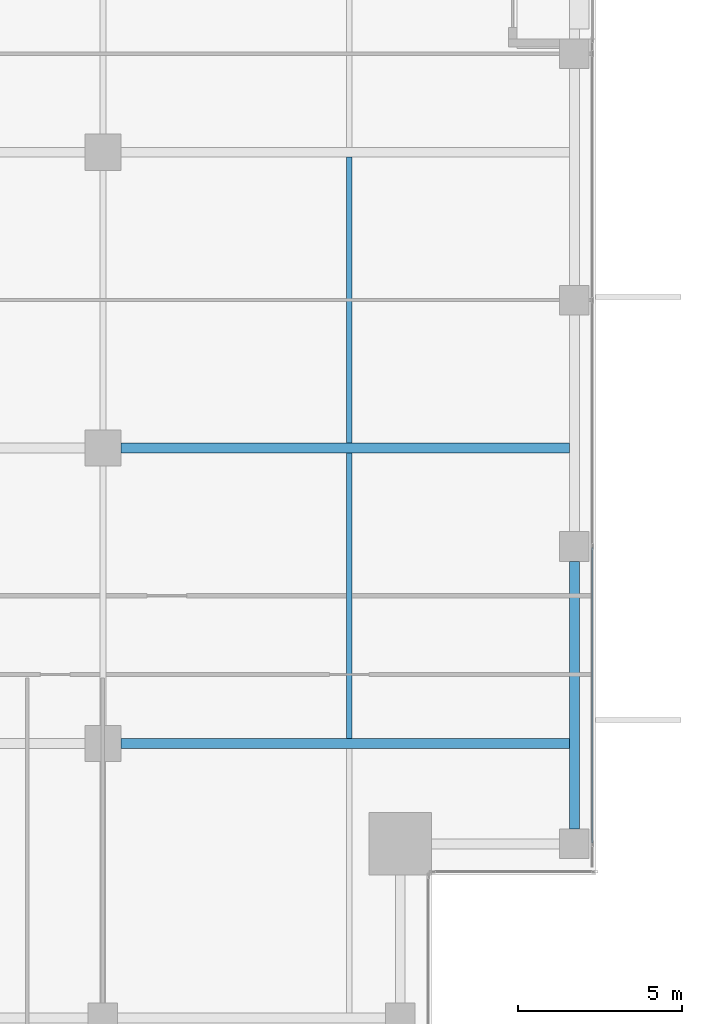
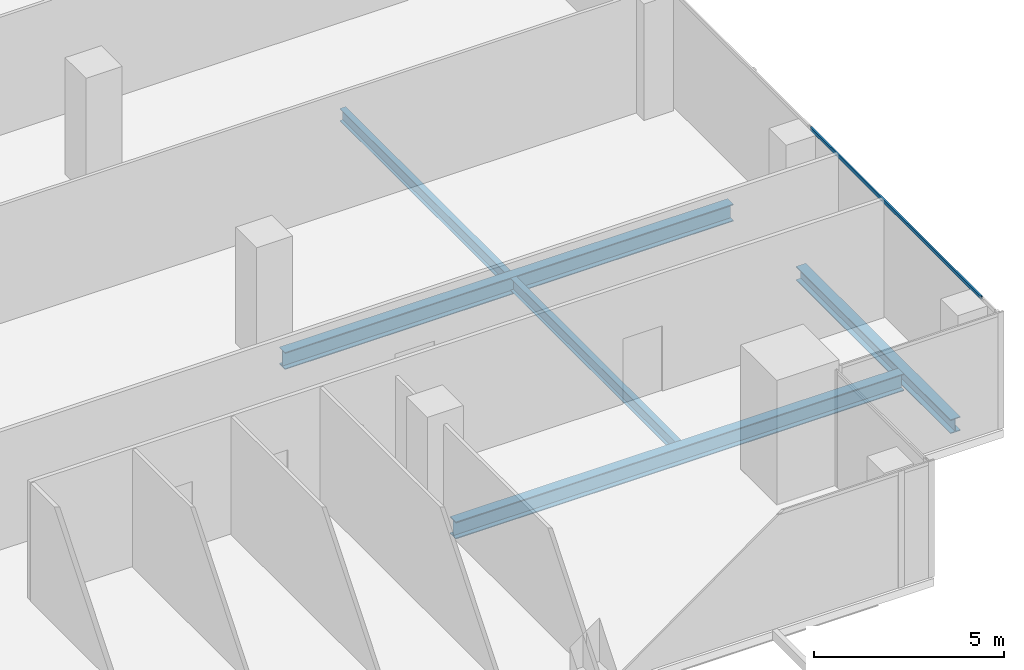
# One storey, part 10 of 34: 5 beams, 1 member, 1 element without a shape of its own.
"""IFC4 building model written with IfcOpenShell, lengths in metres."""

from ifc_helpers import new_model, si_unit, direction, frame, origin, origin_2d, place, context, subcontext, project, spatial, hollow_rectangle, i_section, extrude, source, transform, mapped, material, material_profile, profile_set, type_object, element, aggregate, save


model = new_model("IFC4")

# Units and contexts
model_context = context("Model", 3, precision=1e-05, world=origin(), true_north=direction((0.0, 1.0)))
body_context = subcontext(model_context, "Body", "Model", "MODEL_VIEW")
ifc_project = project(units=[si_unit("LENGTHUNIT", "METRE"), si_unit("AREAUNIT", "SQUARE_METRE"), si_unit("VOLUMEUNIT", "CUBIC_METRE"), si_unit("PLANEANGLEUNIT", "RADIAN"), si_unit("MASSUNIT", "GRAM", prefix="KILO")], contexts=[model_context])

# Site, building, storey
site_placement = place(None, origin())
site = spatial("IfcSite", under=ifc_project, at=site_placement, CompositionType="ELEMENT")
building_placement = place(site_placement, origin())
building = spatial("IfcBuilding", under=site, at=building_placement, Name="Khomas Fold Tower", CompositionType="ELEMENT")
storey_placement = place(building_placement, frame((0.0, 0.0, 254.199951171875)))
storey = spatial("IfcBuildingStorey", under=building, at=storey_placement, Name="L57", CompositionType="ELEMENT", Elevation=254.199951171875)

# Beams
ifc_material_1 = material(Name="Steel S355", Category="steel")
ifc_material_profile_1 = material_profile(ifc_material_1, i_section(OverallWidth=0.179931640625, OverallDepth=0.39990234375, WebThickness=0.008544921875, FlangeThickness=0.013427734375, at=origin_2d()), Name="IPE 400")
ifc_profile_set_1 = profile_set([ifc_material_profile_1], Name="Steel S355")
beam_type_1 = type_object("IfcBeamType", Name="IPE 400 beam JB3", PredefinedType="BEAM", material=ifc_profile_set_1)
shared_shape_1 = source(origin(), body_context, "Body", "SweptSolid", [
    extrude(i_section(OverallWidth=0.179931640625, OverallDepth=0.39990234375, WebThickness=0.008544921875, FlangeThickness=0.013427734375, at=origin_2d()), origin(), (0.0, 0.0, 1.0), 8.7001953125),
])
for number, where, z_axis, x_axis, name in (
    (1, (42.0, 13.64990234375, -0.449951171875), (0.0, 1.0, 0.0), (-1.0, 0.0, 0.0), "JB3"),
    (2, (42.0, 22.64990234375, -0.449951171875), (0.0, 1.0, 0.0), (-1.0, 0.0, 0.0), "JB3"),
):
    element("IfcBeam", number, at=place(storey_placement, frame(where, z_axis=z_axis, x_axis=x_axis)), inside=storey, type_object=beam_type_1, Name=name, PredefinedType="BEAM", context=body_context, shape_type="MappedRepresentation", body=[
        mapped(shared_shape_1, transform((0.0, 0.0, 0.0))),
    ])
ifc_material_2 = material(Name="Steel S355", Category="steel")
ifc_material_profile_2 = material_profile(ifc_material_2, i_section(OverallWidth=0.300048828125, OverallDepth=0.449951171875, WebThickness=0.013916015625, FlangeThickness=0.02587890625, at=origin_2d()), Name="HE 450 B")
ifc_profile_set_2 = profile_set([ifc_material_profile_2], Name="Steel S355")
beam_type_2 = type_object("IfcBeamType", Name="HE 450 B spandrel SB4", PredefinedType="SPANDREL", material=ifc_profile_set_2)
shared_shape_2 = source(origin(), body_context, "Body", "SweptSolid", [
    extrude(i_section(OverallWidth=0.300048828125, OverallDepth=0.449951171875, WebThickness=0.013916015625, FlangeThickness=0.02587890625, at=origin_2d()), origin(), (0.0, 0.0, 1.0), 8.150146484375),
])
beam_placement = place(storey_placement, frame((48.85009765625, 10.89990234375, -0.474853515625), z_axis=(0.0, 1.0, 0.0), x_axis=(-1.0, 0.0, 0.0)))
element("IfcBeam", 3, at=beam_placement, inside=storey, type_object=beam_type_2, Name="SB4", PredefinedType="SPANDREL", context=body_context, shape_type="MappedRepresentation", body=[
    mapped(shared_shape_2, transform((0.0, 0.0, 0.0))),
])
ifc_material_3 = material(Name="Steel S355", Category="steel")
ifc_material_profile_3 = material_profile(ifc_material_3, i_section(OverallWidth=0.300048828125, OverallDepth=0.550048828125, WebThickness=0.014892578125, FlangeThickness=0.029052734375, at=origin_2d()), Name="HE 550 B")
ifc_profile_set_3 = profile_set([ifc_material_profile_3], Name="Steel S355")
beam_type_3 = type_object("IfcBeamType", Name="HE 550 B beam GB4", PredefinedType="BEAM", material=ifc_profile_set_3)
shared_shape_3 = source(origin(), body_context, "Body", "SweptSolid", [
    extrude(i_section(OverallWidth=0.300048828125, OverallDepth=0.550048828125, WebThickness=0.014892578125, FlangeThickness=0.029052734375, at=origin_2d()), origin(), (0.0, 0.0, 1.0), 13.64990234375),
])
for number, where, z_axis, x_axis, name in (
    (4, (35.050048828125, 13.5, -0.52490234375), (1.0, 0.0, 0.0), (0.0, 1.0, 0.0), "GB4"),
    (5, (35.050048828125, 22.5, -0.52490234375), (1.0, 0.0, 0.0), (0.0, 1.0, 0.0), "GB4"),
):
    element("IfcBeam", number, at=place(storey_placement, frame(where, z_axis=z_axis, x_axis=x_axis)), inside=storey, type_object=beam_type_3, Name=name, PredefinedType="BEAM", context=body_context, shape_type="MappedRepresentation", body=[
        mapped(shared_shape_3, transform((0.0, 0.0, 0.0))),
    ])

# Curtain wall, member
ifc_material_4 = material(Name="Aluminium framed double glazing", Category="aluminium")
curtain_wall_type = type_object("IfcCurtainWallType", Name="SK-Unitised clear-glass wall, office floors CW2", PredefinedType="NOTDEFINED", material=ifc_material_4)
curtain_wall_placement = place(storey_placement, origin())
curtain_wall = element("IfcCurtainWall", 6, at=curtain_wall_placement, inside=storey, type_object=curtain_wall_type, Name="CW2 run L57 03-0", PredefinedType="NOTDEFINED")
ifc_material_5 = material(Name="Aluminium", Category="aluminium")
ifc_material_profile_4 = material_profile(ifc_material_5, hollow_rectangle(XDim=0.050048828125, YDim=0.110107421875, WallThickness=0.00390625, at=origin_2d()), Name="SK-Unitised clear-glass wall, office floors transom CW2-T")
ifc_profile_set_4 = profile_set([ifc_material_profile_4], Name="Aluminium")
member_type = type_object("IfcMemberType", Name="SK-Unitised clear-glass wall, office floors transom CW2-T", PredefinedType="USERDEFINED", material=ifc_profile_set_4)
shared_shape_4 = source(origin(), body_context, "Body", "SweptSolid", [
    extrude(hollow_rectangle(XDim=0.050048828125, YDim=0.110107421875, WallThickness=0.00390625, at=origin_2d()), origin(), (0.0, 0.0, 1.0), 8.989990234375),
])
member_placement = place(storey_placement, frame((49.39990234375, 10.47998046875, 3.695068359375), z_axis=(0.0, 1.0, 0.0), x_axis=(-1.0, 0.0, 0.0)))
member = element("IfcMember", 7, at=member_placement, type_object=member_type, Name="CW2 transom 2", ObjectType="TRANSOM", PredefinedType="USERDEFINED", context=body_context, shape_type="MappedRepresentation", body=[
    mapped(shared_shape_4, transform((0.0, 0.0, 0.0))),
])
aggregate(curtain_wall, [member])

save(model, "model.ifc")
